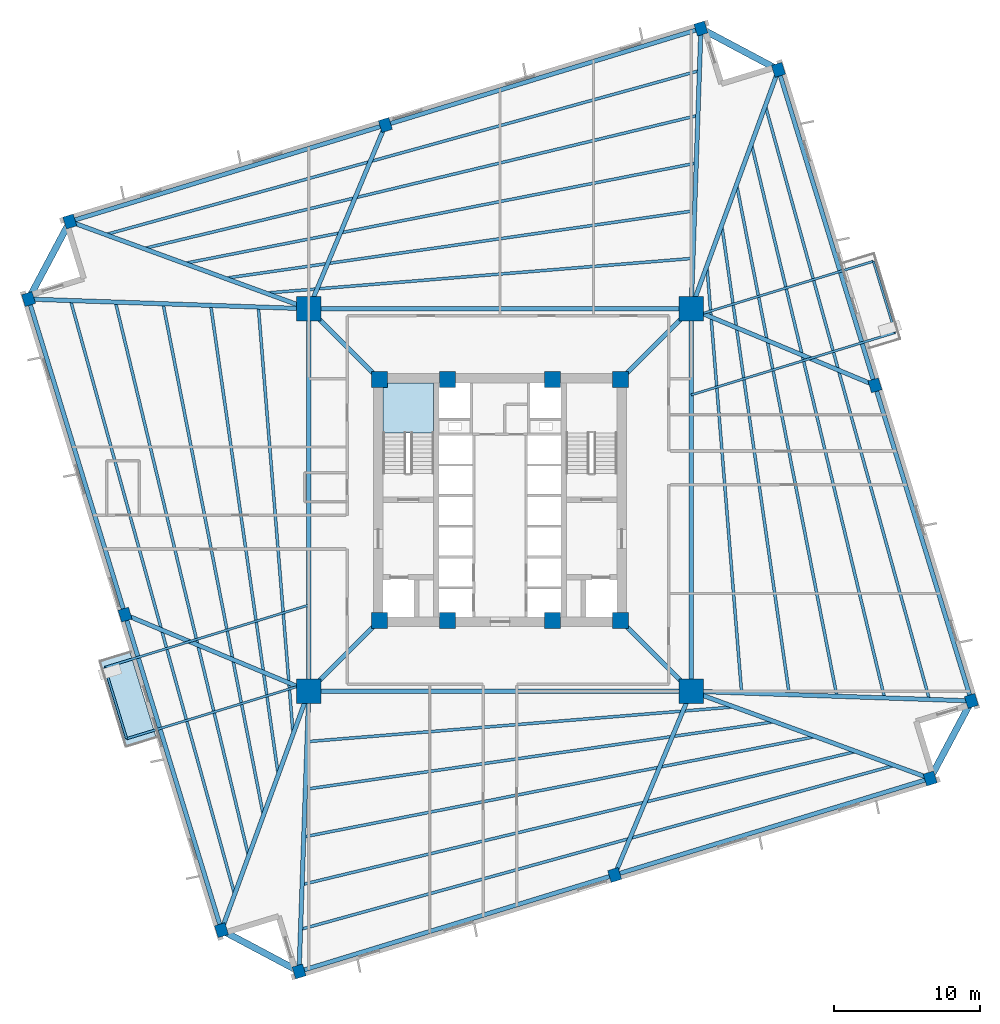
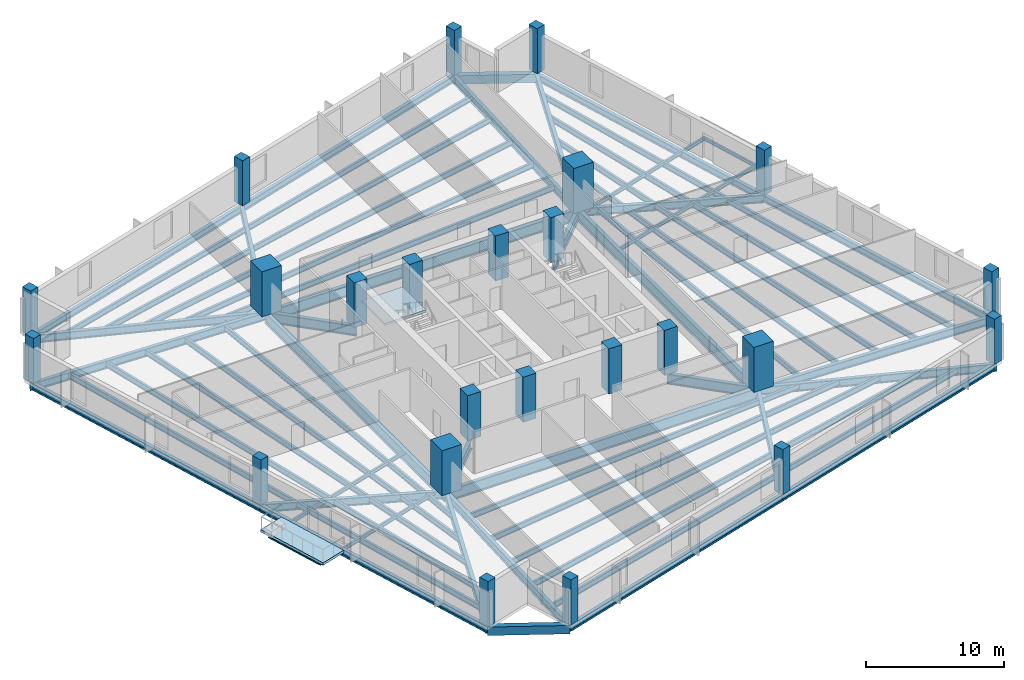
# One storey, part 1 of 9: 58 beams, 24 columns, 2 slabs, 1 element without a shape of its own.
"""IFC4 building model written with IfcOpenShell, lengths in metres."""

from ifc_helpers import new_model, si_unit, direction, frame, origin, origin_2d, place, context, subcontext, project, spatial, polyline, rectangle, i_section, outline, extrude, source, transform, mapped, material, layer, layer_set, material_profile, profile_set, type_object, element, aggregate, save


model = new_model("IFC4")

# Units and contexts
model_context = context("Model", 3, precision=1e-05, world=origin(), true_north=direction((0.0, 1.0)))
body_context = subcontext(model_context, "Body", "Model", "MODEL_VIEW")
ifc_project = project(units=[si_unit("LENGTHUNIT", "METRE"), si_unit("AREAUNIT", "SQUARE_METRE"), si_unit("VOLUMEUNIT", "CUBIC_METRE"), si_unit("PLANEANGLEUNIT", "RADIAN"), si_unit("MASSUNIT", "GRAM", prefix="KILO"), si_unit("THERMODYNAMICTEMPERATUREUNIT", "KELVIN")], contexts=[model_context])

# Site, building, storey
site_placement = place(None, origin())
site = spatial("IfcSite", under=ifc_project, at=site_placement, CompositionType="ELEMENT")
building_placement = place(site_placement, origin())
building = spatial("IfcBuilding", under=site, at=building_placement, Name="Kosmvard Interchange Tower", CompositionType="ELEMENT")
storey_placement = place(building_placement, frame((0.0, 0.0, 119.199951171875)))
storey = spatial("IfcBuildingStorey", under=building, at=storey_placement, Name="L28", CompositionType="ELEMENT", Elevation=119.199951171875)

# Columns
ifc_material_1 = material(Name="Concrete C80/95", Category="concrete")
ifc_material_profile_1 = material_profile(ifc_material_1, rectangle(XDim=1.10009765625, YDim=1.10009765625, at=origin_2d()), Name="CP 1100x1100")
ifc_profile_set_1 = profile_set([ifc_material_profile_1], Name="Concrete C80/95")
column_type_1 = type_object("IfcColumnType", Name="Core Boundary Pilaster 1100x1100 C80/95", PredefinedType="PILASTER", material=ifc_profile_set_1)
shared_shape_1 = source(origin(), body_context, "Body", "SweptSolid", [
    extrude(rectangle(XDim=1.10009765625, YDim=1.10009765625, at=origin_2d()), origin(), (0.0, 0.0, 1.0), 4.0),
])
for number, where, z_axis, x_axis, name in (
    (1, (-8.25, -8.25, 0.0), (0.0, 0.0, 1.0), (1.0, 0.0, 0.0), "L28 Core Pilaster CP1"),
    (2, (8.25, -8.25, 0.0), (0.0, 0.0, 1.0), (1.0, 0.0, 0.0), "L28 Core Pilaster CP2"),
    (3, (8.25, 8.25, 0.0), (0.0, 0.0, 1.0), (1.0, 0.0, 0.0), "L28 Core Pilaster CP3"),
    (4, (-8.25, 8.25, 0.0), (0.0, 0.0, 1.0), (1.0, 0.0, 0.0), "L28 Core Pilaster CP4"),
    (5, (-3.60009765625, -8.25, 0.0), (0.0, 0.0, 1.0), (1.0, 0.0, 0.0), "L28 Core Pilaster CP5"),
    (6, (3.60009765625, -8.25, 0.0), (0.0, 0.0, 1.0), (1.0, 0.0, 0.0), "L28 Core Pilaster CP6"),
    (7, (-3.60009765625, 8.25, 0.0), (0.0, 0.0, 1.0), (1.0, 0.0, 0.0), "L28 Core Pilaster CP7"),
    (8, (3.60009765625, 8.25, 0.0), (0.0, 0.0, 1.0), (1.0, 0.0, 0.0), "L28 Core Pilaster CP8"),
):
    element("IfcColumn", number, at=place(storey_placement, frame(where, z_axis=z_axis, x_axis=x_axis)), inside=storey, type_object=column_type_1, Name=name, PredefinedType="PILASTER", context=body_context, shape_type="MappedRepresentation", body=[
        mapped(shared_shape_1, transform((0.0, 0.0, 0.0), scale=1.0)),
    ])
ifc_material_2 = material(Name="Concrete C70/85", Category="concrete")
ifc_material_profile_2 = material_profile(ifc_material_2, rectangle(XDim=1.64990234375, YDim=1.64990234375, at=origin_2d()), Name="MC 1650x1650")
ifc_profile_set_2 = profile_set([ifc_material_profile_2], Name="Concrete C70/85")
column_type_2 = type_object("IfcColumnType", Name="Composite Mega-Column 1650x1650 C70/85", PredefinedType="COLUMN", material=ifc_profile_set_2)
shared_shape_2 = source(origin(), body_context, "Body", "SweptSolid", [
    extrude(rectangle(XDim=1.64990234375, YDim=1.64990234375, at=origin_2d()), origin(), (0.0, 0.0, 1.0), 4.0),
])
for number, where, z_axis, x_axis, name in (
    (9, (-13.0810546875, -13.0810546875, 0.0), (0.0, 0.0, 1.0), (1.0, 0.0, 0.0), "L28 Corner Mega-Column MC1"),
    (10, (13.0810546875, -13.0810546875, 0.0), (0.0, 0.0, 1.0), (1.0, 0.0, 0.0), "L28 Corner Mega-Column MC2"),
    (11, (13.0810546875, 13.0810546875, 0.0), (0.0, 0.0, 1.0), (1.0, 0.0, 0.0), "L28 Corner Mega-Column MC3"),
    (12, (-13.0810546875, 13.0810546875, 0.0), (0.0, 0.0, 1.0), (1.0, 0.0, 0.0), "L28 Corner Mega-Column MC4"),
):
    element("IfcColumn", number, at=place(storey_placement, frame(where, z_axis=z_axis, x_axis=x_axis)), inside=storey, type_object=column_type_2, Name=name, PredefinedType="COLUMN", context=body_context, shape_type="MappedRepresentation", body=[
        mapped(shared_shape_2, transform((0.0, 0.0, 0.0), scale=1.0)),
    ])
ifc_material_3 = material(Name="Concrete C60/75", Category="concrete")
ifc_material_profile_3 = material_profile(ifc_material_3, rectangle(XDim=0.75, YDim=0.85009765625, at=origin_2d()), Name="TC 850x750")
ifc_profile_set_3 = profile_set([ifc_material_profile_3], Name="Concrete C60/75")
column_type_3 = type_object("IfcColumnType", Name="Zone 2 Perimeter Pier Column 850x750 C60/75", PredefinedType="COLUMN", material=ifc_profile_set_3)
shared_shape_3 = source(origin(), body_context, "Body", "SweptSolid", [
    extrude(rectangle(XDim=0.75, YDim=0.85009765625, at=origin_2d()), origin(), (0.0, 0.0, 1.0), 4.0),
])
for number, where, z_axis, x_axis, name in (
    (13, (-13.74560546875, -32.253173828125, 0.0), (0.0, 0.0, 1.0), (0.956304755963, 0.292371704723, 0.0), "L28 Perimeter Pier Column TC-S1"),
    (14, (7.8427734375, -25.65283203125, 0.0), (0.0, 0.0, 1.0), (0.956304755963, 0.292371704723, 0.0), "L28 Perimeter Pier Column TC-S2"),
    (15, (29.431396484375, -19.052490234375, 0.0), (0.0, 0.0, 1.0), (0.956304755963, 0.292371704723, 0.0), "L28 Perimeter Pier Column TC-S3"),
    (16, (32.253173828125, -13.74560546875, 0.0), (0.0, 0.0, 1.0), (0.956304755963, 0.292371704723, 0.0), "L28 Perimeter Pier Column TC-E1"),
    (17, (25.65283203125, 7.8427734375, 0.0), (0.0, 0.0, 1.0), (0.956304755963, 0.292371704723, 0.0), "L28 Perimeter Pier Column TC-E2"),
    (18, (19.052490234375, 29.431396484375, 0.0), (0.0, 0.0, 1.0), (0.956304755963, 0.292371704723, 0.0), "L28 Perimeter Pier Column TC-E3"),
    (19, (13.74560546875, 32.253173828125, 0.0), (0.0, 0.0, 1.0), (0.956304755963, 0.292371704723, 0.0), "L28 Perimeter Pier Column TC-N1"),
    (20, (-7.8427734375, 25.65283203125, 0.0), (0.0, 0.0, 1.0), (0.956304755963, 0.292371704723, 0.0), "L28 Perimeter Pier Column TC-N2"),
    (21, (-29.431396484375, 19.052490234375, 0.0), (0.0, 0.0, 1.0), (0.956304755963, 0.292371704723, 0.0), "L28 Perimeter Pier Column TC-N3"),
    (22, (-32.253173828125, 13.74560546875, 0.0), (0.0, 0.0, 1.0), (0.956304755963, 0.292371704723, 0.0), "L28 Perimeter Pier Column TC-W1"),
    (23, (-25.65283203125, -7.8427734375, 0.0), (0.0, 0.0, 1.0), (0.956304755963, 0.292371704723, 0.0), "L28 Perimeter Pier Column TC-W2"),
    (24, (-19.052490234375, -29.431396484375, 0.0), (0.0, 0.0, 1.0), (0.956304755963, 0.292371704723, 0.0), "L28 Perimeter Pier Column TC-W3"),
):
    element("IfcColumn", number, at=place(storey_placement, frame(where, z_axis=z_axis, x_axis=x_axis)), inside=storey, type_object=column_type_3, Name=name, PredefinedType="COLUMN", context=body_context, shape_type="MappedRepresentation", body=[
        mapped(shared_shape_3, transform((0.0, 0.0, 0.0), scale=1.0)),
    ])

# Beams
ifc_material_4 = material(Name="Steel S460", Category="steel")
ifc_material_profile_4 = material_profile(ifc_material_4, i_section(OverallWidth=0.30810546875, OverallDepth=0.909912109375, WebThickness=0.02099609375, FlangeThickness=0.0400390625, FilletRadius=0.027099609375, at=origin_2d()), Name="HEM 900")
ifc_profile_set_4 = profile_set([ifc_material_profile_4], Name="Steel S460")
beam_type_1 = type_object("IfcBeamType", Name="Primary Mega-Frame Girder HEM 900 S460", PredefinedType="BEAM", material=ifc_profile_set_4)
shared_shape_4 = source(origin(), body_context, "Body", "SweptSolid", [
    extrude(i_section(OverallWidth=0.30810546875, OverallDepth=0.909912109375, WebThickness=0.02099609375, FlangeThickness=0.0400390625, FilletRadius=0.027099609375, at=origin_2d()), origin(), (0.0, 0.0, 1.0), 6.83203125),
])
for number, where, z_axis, x_axis, name in (
    (25, (-8.25, -8.25, -0.71484375), (-0.707106781187, -0.707106781187, 0.0), (0.707106781187, -0.707106781187, 0.0), "L28 Radial Mega-Frame Girder 1"),
    (26, (8.25, -8.25, -0.71484375), (0.707106781187, -0.707106781187, 0.0), (0.707106781187, 0.707106781187, 0.0), "L28 Radial Mega-Frame Girder 2"),
    (27, (8.25, 8.25, -0.71484375), (0.707106781187, 0.707106781187, 0.0), (-0.707106781187, 0.707106781187, 0.0), "L28 Radial Mega-Frame Girder 3"),
    (28, (-8.25, 8.25, -0.71484375), (-0.707106781187, 0.707106781187, 0.0), (-0.707106781187, -0.707106781187, 0.0), "L28 Radial Mega-Frame Girder 4"),
):
    element("IfcBeam", number, at=place(storey_placement, frame(where, z_axis=z_axis, x_axis=x_axis)), inside=storey, type_object=beam_type_1, Name=name, PredefinedType="BEAM", context=body_context, shape_type="MappedRepresentation", body=[
        mapped(shared_shape_4, transform((0.0, 0.0, 0.0), scale=1.0)),
    ])
ifc_material_profile_5 = material_profile(ifc_material_4, i_section(OverallWidth=0.30908203125, OverallDepth=1.008056640625, WebThickness=0.02099609375, FlangeThickness=0.0400390625, FilletRadius=0.030029296875, at=origin_2d()), Name="HEM 1000")
ifc_profile_set_5 = profile_set([ifc_material_profile_5], Name="Steel S460")
beam_type_2 = type_object("IfcBeamType", Name="Mega-Column Ring Girder HEM 1000 S460", PredefinedType="BEAM", material=ifc_profile_set_5)
shared_shape_5 = source(origin(), body_context, "Body", "SweptSolid", [
    extrude(i_section(OverallWidth=0.30908203125, OverallDepth=1.008056640625, WebThickness=0.02099609375, FlangeThickness=0.0400390625, FilletRadius=0.030029296875, at=origin_2d()), origin(), (0.0, 0.0, 1.0), 26.162109375),
])
for number, where, z_axis, x_axis, name in (
    (29, (-13.0810546875, -13.0810546875, -0.763916015625), (1.0, 0.0, 0.0), (0.0, 1.0, 0.0), "L28 Mega-Column Ring Girder 1"),
    (30, (13.0810546875, -13.0810546875, -0.763916015625), (0.0, 1.0, 0.0), (-1.0, 0.0, 0.0), "L28 Mega-Column Ring Girder 2"),
    (31, (13.0810546875, 13.0810546875, -0.763916015625), (-1.0, 0.0, 0.0), (0.0, -1.0, 0.0), "L28 Mega-Column Ring Girder 3"),
    (32, (-13.0810546875, 13.0810546875, -0.763916015625), (0.0, -1.0, 0.0), (1.0, 0.0, 0.0), "L28 Mega-Column Ring Girder 4"),
):
    element("IfcBeam", number, at=place(storey_placement, frame(where, z_axis=z_axis, x_axis=x_axis)), inside=storey, type_object=beam_type_2, Name=name, PredefinedType="BEAM", context=body_context, shape_type="MappedRepresentation", body=[
        mapped(shared_shape_5, transform((0.0, 0.0, 0.0), scale=1.0)),
    ])
ifc_material_5 = material(Name="Steel S355", Category="steel")
ifc_material_profile_6 = material_profile(ifc_material_5, i_section(OverallWidth=0.14990234375, OverallDepth=0.300048828125, WebThickness=0.007080078125, FlangeThickness=0.0107421875, FilletRadius=0.014892578125, at=origin_2d()), Name="IPE 300")
ifc_profile_set_6 = profile_set([ifc_material_profile_6], Name="Steel S355")
beam_type_3 = type_object("IfcBeamType", Name="Balcony Edge Header Joist IPE 300 S355", PredefinedType="JOIST", material=ifc_profile_set_6)
shared_shape_6 = source(origin(), body_context, "Body", "SweptSolid", [
    extrude(i_section(OverallWidth=0.14990234375, OverallDepth=0.300048828125, WebThickness=0.007080078125, FlangeThickness=0.0107421875, FilletRadius=0.014892578125, at=origin_2d()), origin(), (0.0, 0.0, 1.0), 5.099853515625),
])
for number, where, z_axis, x_axis, name in (
    (33, (27.032470703125, 11.4541015625, -0.409912109375), (-0.292403397238, 0.956295066015, 0.0), (-0.956295066015, -0.292403397238, 0.0), "BM-L28-BJH1"),
    (34, (-27.032470703125, -11.4541015625, -0.409912109375), (0.292403397238, -0.956295066015, 0.0), (0.956295066015, 0.292403397238, 0.0), "BM-L28-BJH2"),
):
    element("IfcBeam", number, at=place(storey_placement, frame(where, z_axis=z_axis, x_axis=x_axis)), inside=storey, type_object=beam_type_3, Name=name, PredefinedType="JOIST", context=body_context, shape_type="MappedRepresentation", body=[
        mapped(shared_shape_6, transform((0.0, 0.0, 0.0), scale=1.0)),
    ])
ifc_material_profile_7 = material_profile(ifc_material_5, i_section(OverallWidth=0.300048828125, OverallDepth=0.60009765625, WebThickness=0.015380859375, FlangeThickness=0.030029296875, FilletRadius=0.027099609375, at=origin_2d()), Name="HEB 600")
ifc_profile_set_7 = profile_set([ifc_material_profile_7], Name="Steel S355")
beam_type_4 = type_object("IfcBeamType", Name="Perimeter Tie Girder HEB 600 S355", PredefinedType="BEAM", material=ifc_profile_set_7)
shared_shape_7 = source(origin(), body_context, "Body", "SweptSolid", [
    extrude(i_section(OverallWidth=0.300048828125, OverallDepth=0.60009765625, WebThickness=0.015380859375, FlangeThickness=0.030029296875, FilletRadius=0.027099609375, at=origin_2d()), origin(), (0.0, 0.0, 1.0), 22.57470703125),
])
for number, where, z_axis, x_axis, name in (
    (35, (-13.74560546875, -32.253173828125, -0.56005859375), (0.956303368768, 0.292376241995, 0.0), (-0.292376241995, 0.956303368768, 0.0), "BM-L28-PR01"),
    (36, (32.253173828125, -13.74560546875, -0.56005859375), (-0.292376241995, 0.956303368768, 0.0), (-0.956303368768, -0.292376241995, 0.0), "BM-L28-PR04"),
    (37, (13.74560546875, 32.253173828125, -0.56005859375), (-0.956303368768, -0.292376241995, 0.0), (0.292376241995, -0.956303368768, 0.0), "BM-L28-PR07"),
    (38, (-32.253173828125, 13.74560546875, -0.56005859375), (0.292376241995, -0.956303368768, 0.0), (0.956303368768, 0.292376241995, 0.0), "BM-L28-PR10"),
):
    element("IfcBeam", number, at=place(storey_placement, frame(where, z_axis=z_axis, x_axis=x_axis)), inside=storey, type_object=beam_type_4, Name=name, PredefinedType="BEAM", context=body_context, shape_type="MappedRepresentation", body=[
        mapped(shared_shape_7, transform((0.0, 0.0, 0.0), scale=1.0)),
    ])
ifc_material_profile_8 = material_profile(ifc_material_5, i_section(OverallWidth=0.300048828125, OverallDepth=0.699951171875, WebThickness=0.01708984375, FlangeThickness=0.031982421875, FilletRadius=0.027099609375, at=origin_2d()), Name="HEB 700")
ifc_profile_set_8 = profile_set([ifc_material_profile_8], Name="Steel S355")
beam_type_5 = type_object("IfcBeamType", Name="Primary Floor Girder HEB 700 S355", PredefinedType="BEAM", material=ifc_profile_set_8)
shared_shape_8 = source(origin(), body_context, "Body", "SweptSolid", [
    extrude(i_section(OverallWidth=0.300048828125, OverallDepth=0.699951171875, WebThickness=0.01708984375, FlangeThickness=0.031982421875, FilletRadius=0.027099609375, at=origin_2d()), origin(), (0.0, 0.0, 1.0), 19.18359375),
])
for number, where, z_axis, x_axis, name in (
    (39, (-13.0810546875, -13.0810546875, -0.60986328125), (-0.034641549738, -0.999399801397, 0.0), (0.999399801397, -0.034641549738, 0.0), "BM-L28-RD01"),
    (40, (13.0810546875, -13.0810546875, -0.60986328125), (0.999399801397, -0.034641549738, 0.0), (0.034641549738, 0.999399801397, 0.0), "BM-L28-RD04"),
    (41, (13.0810546875, 13.0810546875, -0.60986328125), (0.034641549738, 0.999399801397, 0.0), (-0.999399801397, 0.034641549738, 0.0), "BM-L28-RD07"),
    (42, (-13.0810546875, 13.0810546875, -0.60986328125), (-0.999399801397, 0.034641549738, 0.0), (-0.034641549738, -0.999399801397, 0.0), "BM-L28-RD10"),
):
    element("IfcBeam", number, at=place(storey_placement, frame(where, z_axis=z_axis, x_axis=x_axis)), inside=storey, type_object=beam_type_5, Name=name, PredefinedType="BEAM", context=body_context, shape_type="MappedRepresentation", body=[
        mapped(shared_shape_8, transform((0.0, 0.0, 0.0), scale=1.0)),
    ])
shared_shape_9 = source(origin(), body_context, "Body", "SweptSolid", [
    extrude(i_section(OverallWidth=0.300048828125, OverallDepth=0.60009765625, WebThickness=0.015380859375, FlangeThickness=0.030029296875, FilletRadius=0.027099609375, at=origin_2d()), origin(), (0.0, 0.0, 1.0), 22.574951171875),
])
for number, where, z_axis, x_axis, name in (
    (43, (7.8427734375, -25.65283203125, -0.56005859375), (0.956304293239, 0.292373218222, 0.0), (-0.292373218222, 0.956304293239, 0.0), "BM-L28-PR02"),
    (44, (25.65283203125, 7.8427734375, -0.56005859375), (-0.292373218222, 0.956304293239, 0.0), (-0.956304293239, -0.292373218222, 0.0), "BM-L28-PR05"),
    (45, (-7.8427734375, 25.65283203125, -0.56005859375), (-0.956304293239, -0.292373218222, 0.0), (0.292373218222, -0.956304293239, 0.0), "BM-L28-PR08"),
    (46, (-25.65283203125, -7.8427734375, -0.56005859375), (0.292373218222, -0.956304293239, 0.0), (0.956304293239, 0.292373218222, 0.0), "BM-L28-PR11"),
):
    element("IfcBeam", number, at=place(storey_placement, frame(where, z_axis=z_axis, x_axis=x_axis)), inside=storey, type_object=beam_type_4, Name=name, PredefinedType="BEAM", context=body_context, shape_type="MappedRepresentation", body=[
        mapped(shared_shape_9, transform((0.0, 0.0, 0.0), scale=1.0)),
    ])
shared_shape_10 = source(origin(), body_context, "Body", "SweptSolid", [
    extrude(i_section(OverallWidth=0.300048828125, OverallDepth=0.699951171875, WebThickness=0.01708984375, FlangeThickness=0.031982421875, FilletRadius=0.027099609375, at=origin_2d()), origin(), (0.0, 0.0, 1.0), 13.619384765625),
])
for number, where, z_axis, x_axis, name in (
    (47, (13.0810546875, -13.0810546875, -0.60986328125), (-0.384617930303, -0.92307586237, 0.0), (0.92307586237, -0.384617930303, 0.0), "BM-L28-RD02"),
    (48, (13.0810546875, 13.0810546875, -0.60986328125), (0.92307586237, -0.384617930303, 0.0), (0.384617930303, 0.92307586237, 0.0), "BM-L28-RD05"),
    (49, (-13.0810546875, 13.0810546875, -0.60986328125), (0.384617930303, 0.92307586237, 0.0), (-0.92307586237, 0.384617930303, 0.0), "BM-L28-RD08"),
    (50, (-13.0810546875, -13.0810546875, -0.60986328125), (-0.92307586237, 0.384617930303, 0.0), (-0.384617930303, -0.92307586237, 0.0), "BM-L28-RD11"),
):
    element("IfcBeam", number, at=place(storey_placement, frame(where, z_axis=z_axis, x_axis=x_axis)), inside=storey, type_object=beam_type_5, Name=name, PredefinedType="BEAM", context=body_context, shape_type="MappedRepresentation", body=[
        mapped(shared_shape_10, transform((0.0, 0.0, 0.0), scale=1.0)),
    ])
ifc_material_6 = material(Name="Precast concrete C45/55", Category="concrete")
ifc_material_profile_9 = material_profile(ifc_material_6, rectangle(XDim=0.449951171875, YDim=0.75, at=origin_2d()), Name="SL 450x750")
ifc_profile_set_9 = profile_set([ifc_material_profile_9], Name="Precast concrete C45/55")
beam_type_6 = type_object("IfcBeamType", Name="Precast Spandrel Lintel 450x750 C45/55", PredefinedType="LINTEL", material=ifc_profile_set_9)
shared_shape_11 = source(origin(), body_context, "Body", "SweptSolid", [
    extrude(rectangle(XDim=0.449951171875, YDim=0.75, at=origin_2d()), origin(), (0.0, 0.0, 1.0), 6.010498046875),
])
for number, where, z_axis, x_axis, name in (
    (51, (29.431396484375, -19.052490234375, -0.635009765625), (0.469478912111, 0.882943685114, 0.0), (-0.882943685114, 0.469478912111, 0.0), "BM-L28-SL1"),
    (52, (19.052490234375, 29.431396484375, -0.635009765625), (-0.882943685114, 0.469478912111, 0.0), (-0.469478912111, -0.882943685114, 0.0), "BM-L28-SL2"),
    (53, (-29.431396484375, 19.052490234375, -0.635009765625), (-0.469478912111, -0.882943685114, 0.0), (0.882943685114, -0.469478912111, 0.0), "BM-L28-SL3"),
    (54, (-19.052490234375, -29.431396484375, -0.635009765625), (0.882943685114, -0.469478912111, 0.0), (0.469478912111, 0.882943685114, 0.0), "BM-L28-SL4"),
):
    element("IfcBeam", number, at=place(storey_placement, frame(where, z_axis=z_axis, x_axis=x_axis)), inside=storey, type_object=beam_type_6, Name=name, PredefinedType="LINTEL", context=body_context, shape_type="MappedRepresentation", body=[
        mapped(shared_shape_11, transform((0.0, 0.0, 0.0), scale=1.0)),
    ])
shared_shape_12 = source(origin(), body_context, "Body", "SweptSolid", [
    extrude(i_section(OverallWidth=0.300048828125, OverallDepth=0.699951171875, WebThickness=0.01708984375, FlangeThickness=0.031982421875, FilletRadius=0.027099609375, at=origin_2d()), origin(), (0.0, 0.0, 1.0), 17.40673828125),
])
for number, where, z_axis, x_axis, name in (
    (55, (13.0810546875, -13.0810546875, -0.60986328125), (0.939315429031, -0.343054696491, 0.0), (0.343054696491, 0.939315429031, 0.0), "BM-L28-RD03"),
    (56, (13.0810546875, 13.0810546875, -0.60986328125), (0.343054696491, 0.939315429031, 0.0), (-0.939315429031, 0.343054696491, 0.0), "BM-L28-RD06"),
    (57, (-13.0810546875, 13.0810546875, -0.60986328125), (-0.939315429031, 0.343054696491, 0.0), (-0.343054696491, -0.939315429031, 0.0), "BM-L28-RD09"),
    (58, (-13.0810546875, -13.0810546875, -0.60986328125), (-0.343054696491, -0.939315429031, 0.0), (0.939315429031, -0.343054696491, 0.0), "BM-L28-RD12"),
):
    element("IfcBeam", number, at=place(storey_placement, frame(where, z_axis=z_axis, x_axis=x_axis)), inside=storey, type_object=beam_type_5, Name=name, PredefinedType="BEAM", context=body_context, shape_type="MappedRepresentation", body=[
        mapped(shared_shape_12, transform((0.0, 0.0, 0.0), scale=1.0)),
    ])
ifc_material_profile_10 = material_profile(ifc_material_5, i_section(OverallWidth=0.199951171875, OverallDepth=0.5, WebThickness=0.01025390625, FlangeThickness=0.01611328125, FilletRadius=0.02099609375, at=origin_2d()), Name="IPE 500")
ifc_profile_set_10 = profile_set([ifc_material_profile_10], Name="Steel S355")
beam_type_7 = type_object("IfcBeamType", Name="Standard Floor Joist IPE 500 S355", PredefinedType="JOIST", material=ifc_profile_set_10)
shared_shape_13 = source(origin(), body_context, "Body", "SweptSolid", [
    extrude(i_section(OverallWidth=0.199951171875, OverallDepth=0.5, WebThickness=0.01025390625, FlangeThickness=0.01611328125, FilletRadius=0.02099609375, at=origin_2d()), origin(), (0.0, 0.0, 1.0), 29.1611328125),
])
for number, where, z_axis, x_axis, name in (
    (59, (-13.120849609375, -16.525390625, -0.510009765625), (0.99671134435, 0.081033919093, 0.0), (-0.081033919093, 0.99671134435, 0.0), "BM-L28-FJ01"),
    (60, (16.525390625, -13.120849609375, -0.510009765625), (-0.081033919093, 0.99671134435, 0.0), (-0.99671134435, -0.081033919093, 0.0), "BM-L28-FJ06"),
    (61, (13.120849609375, 16.525390625, -0.510009765625), (-0.99671134435, -0.081033919093, 0.0), (0.081033919093, -0.99671134435, 0.0), "BM-L28-FJ11"),
    (62, (-16.525390625, 13.120849609375, -0.510009765625), (0.081033919093, -0.99671134435, 0.0), (0.99671134435, 0.081033919093, 0.0), "BM-L28-FJ16"),
):
    element("IfcBeam", number, at=place(storey_placement, frame(where, z_axis=z_axis, x_axis=x_axis)), inside=storey, type_object=beam_type_7, Name=name, PredefinedType="JOIST", context=body_context, shape_type="MappedRepresentation", body=[
        mapped(shared_shape_13, transform((0.0, 0.0, 0.0), scale=1.0)),
    ])
shared_shape_14 = source(origin(), body_context, "Body", "SweptSolid", [
    extrude(i_section(OverallWidth=0.199951171875, OverallDepth=0.5, WebThickness=0.01025390625, FlangeThickness=0.01611328125, FilletRadius=0.02099609375, at=origin_2d()), origin(), (0.0, 0.0, 1.0), 32.287841796875),
])
for number, where, z_axis, x_axis, name in (
    (63, (-13.234375, -19.77978515625, -0.510009765625), (0.989810798314, 0.142388846268, 0.0), (-0.142388846268, 0.989810798314, 0.0), "BM-L28-FJ02"),
    (64, (19.77978515625, -13.234375, -0.510009765625), (-0.142388846268, 0.989810798314, 0.0), (-0.989810798314, -0.142388846268, 0.0), "BM-L28-FJ07"),
    (65, (13.234375, 19.77978515625, -0.510009765625), (-0.989810798314, -0.142388846268, 0.0), (0.142388846268, -0.989810798314, 0.0), "BM-L28-FJ12"),
    (66, (-19.77978515625, 13.234375, -0.510009765625), (0.142388846268, -0.989810798314, 0.0), (0.989810798314, 0.142388846268, 0.0), "BM-L28-FJ17"),
):
    element("IfcBeam", number, at=place(storey_placement, frame(where, z_axis=z_axis, x_axis=x_axis)), inside=storey, type_object=beam_type_7, Name=name, PredefinedType="JOIST", context=body_context, shape_type="MappedRepresentation", body=[
        mapped(shared_shape_14, transform((0.0, 0.0, 0.0), scale=1.0)),
    ])
shared_shape_15 = source(origin(), body_context, "Body", "SweptSolid", [
    extrude(i_section(OverallWidth=0.199951171875, OverallDepth=0.5, WebThickness=0.01025390625, FlangeThickness=0.01611328125, FilletRadius=0.02099609375, at=origin_2d()), origin(), (0.0, 0.0, 1.0), 35.516357421875),
])
for number, where, z_axis, x_axis, name in (
    (67, (-13.34814453125, -23.03515625, -0.510009765625), (0.981315785618, 0.192404077134, 0.0), (-0.192404077134, 0.981315785618, 0.0), "BM-L28-FJ03"),
    (68, (23.03515625, -13.34814453125, -0.510009765625), (-0.192404077134, 0.981315785618, 0.0), (-0.981315785618, -0.192404077134, 0.0), "BM-L28-FJ08"),
    (69, (13.34814453125, 23.03515625, -0.510009765625), (-0.981315785618, -0.192404077134, 0.0), (0.192404077134, -0.981315785618, 0.0), "BM-L28-FJ13"),
    (70, (-23.03515625, 13.34814453125, -0.510009765625), (0.192404077134, -0.981315785618, 0.0), (0.981315785618, 0.192404077134, 0.0), "BM-L28-FJ18"),
):
    element("IfcBeam", number, at=place(storey_placement, frame(where, z_axis=z_axis, x_axis=x_axis)), inside=storey, type_object=beam_type_7, Name=name, PredefinedType="JOIST", context=body_context, shape_type="MappedRepresentation", body=[
        mapped(shared_shape_15, transform((0.0, 0.0, 0.0), scale=1.0)),
    ])
shared_shape_16 = source(origin(), body_context, "Body", "SweptSolid", [
    extrude(i_section(OverallWidth=0.199951171875, OverallDepth=0.5, WebThickness=0.01025390625, FlangeThickness=0.01611328125, FilletRadius=0.02099609375, at=origin_2d()), origin(), (0.0, 0.0, 1.0), 38.821533203125),
])
for number, where, z_axis, x_axis, name in (
    (71, (-13.4619140625, -26.291015625, -0.510009765625), (0.972318244358, 0.233660505198, 0.0), (-0.233660505198, 0.972318244358, 0.0), "BM-L28-FJ04"),
    (72, (26.291015625, -13.4619140625, -0.510009765625), (-0.233660505198, 0.972318244358, 0.0), (-0.972318244358, -0.233660505198, 0.0), "BM-L28-FJ09"),
    (73, (13.4619140625, 26.291015625, -0.510009765625), (-0.972318244358, -0.233660505198, 0.0), (0.233660505198, -0.972318244358, 0.0), "BM-L28-FJ14"),
    (74, (-26.291015625, 13.4619140625, -0.510009765625), (0.233660505198, -0.972318244358, 0.0), (0.972318244358, 0.233660505198, 0.0), "BM-L28-FJ19"),
):
    element("IfcBeam", number, at=place(storey_placement, frame(where, z_axis=z_axis, x_axis=x_axis)), inside=storey, type_object=beam_type_7, Name=name, PredefinedType="JOIST", context=body_context, shape_type="MappedRepresentation", body=[
        mapped(shared_shape_16, transform((0.0, 0.0, 0.0), scale=1.0)),
    ])
shared_shape_17 = source(origin(), body_context, "Body", "SweptSolid", [
    extrude(i_section(OverallWidth=0.199951171875, OverallDepth=0.5, WebThickness=0.01025390625, FlangeThickness=0.01611328125, FilletRadius=0.02099609375, at=origin_2d()), origin(), (0.0, 0.0, 1.0), 41.98583984375),
])
for number, where, z_axis, x_axis, name in (
    (75, (-13.56884765625, -29.35595703125, -0.510009765625), (0.96391074105, 0.266225624778, 0.0), (-0.266225624778, 0.96391074105, 0.0), "BM-L28-FJ05"),
    (76, (29.35595703125, -13.56884765625, -0.510009765625), (-0.266225624778, 0.96391074105, 0.0), (-0.96391074105, -0.266225624778, 0.0), "BM-L28-FJ10"),
    (77, (13.56884765625, 29.35595703125, -0.510009765625), (-0.96391074105, -0.266225624778, 0.0), (0.266225624778, -0.96391074105, 0.0), "BM-L28-FJ15"),
    (78, (-29.35595703125, 13.56884765625, -0.510009765625), (0.266225624778, -0.96391074105, 0.0), (0.96391074105, 0.266225624778, 0.0), "BM-L28-FJ20"),
):
    element("IfcBeam", number, at=place(storey_placement, frame(where, z_axis=z_axis, x_axis=x_axis)), inside=storey, type_object=beam_type_7, Name=name, PredefinedType="JOIST", context=body_context, shape_type="MappedRepresentation", body=[
        mapped(shared_shape_17, transform((0.0, 0.0, 0.0), scale=1.0)),
    ])
ifc_material_profile_11 = material_profile(ifc_material_5, i_section(OverallWidth=0.159912109375, OverallDepth=0.330078125, WebThickness=0.007568359375, FlangeThickness=0.011474609375, FilletRadius=0.01806640625, at=origin_2d()), Name="IPE 330")
ifc_profile_set_11 = profile_set([ifc_material_profile_11], Name="Steel S355")
beam_type_8 = type_object("IfcBeamType", Name="Balcony Cantilever Joist IPE 330 S355", PredefinedType="JOIST", material=ifc_profile_set_11)
shared_shape_18 = source(origin(), body_context, "Body", "SweptSolid", [
    extrude(i_section(OverallWidth=0.159912109375, OverallDepth=0.330078125, WebThickness=0.007568359375, FlangeThickness=0.011474609375, FilletRadius=0.01806640625, at=origin_2d()), origin(), (0.0, 0.0, 1.0), 14.5888671875),
])
for number, where, z_axis, x_axis, name in (
    (79, (13.0810546875, 7.188720703125, -0.425048828125), (0.95630466141, 0.292372013991, 0.0), (-0.292372013991, 0.95630466141, 0.0), "BM-L28-BJ1"),
    (80, (-13.0810546875, -7.188720703125, -0.425048828125), (-0.95630466141, -0.292372013991, 0.0), (0.292372013991, -0.95630466141, 0.0), "BM-L28-BJ2"),
):
    element("IfcBeam", number, at=place(storey_placement, frame(where, z_axis=z_axis, x_axis=x_axis)), inside=storey, type_object=beam_type_8, Name=name, PredefinedType="JOIST", context=body_context, shape_type="MappedRepresentation", body=[
        mapped(shared_shape_18, transform((0.0, 0.0, 0.0), scale=1.0)),
    ])
shared_shape_19 = source(origin(), body_context, "Body", "SweptSolid", [
    extrude(i_section(OverallWidth=0.159912109375, OverallDepth=0.330078125, WebThickness=0.007568359375, FlangeThickness=0.011474609375, FilletRadius=0.01806640625, at=origin_2d()), origin(), (0.0, 0.0, 1.0), 13.029541015625),
])
for number, where, z_axis, x_axis, name in (
    (81, (13.0810546875, 12.521728515625, -0.425048828125), (0.956307777684, 0.292361820938, 0.0), (-0.292361820938, 0.956307777684, 0.0), "BM-L28-BJB1"),
    (82, (-13.0810546875, -12.521728515625, -0.425048828125), (-0.956307777684, -0.292361820938, 0.0), (0.292361820938, -0.956307777684, 0.0), "BM-L28-BJB2"),
):
    element("IfcBeam", number, at=place(storey_placement, frame(where, z_axis=z_axis, x_axis=x_axis)), inside=storey, type_object=beam_type_8, Name=name, PredefinedType="JOIST", context=body_context, shape_type="MappedRepresentation", body=[
        mapped(shared_shape_19, transform((0.0, 0.0, 0.0), scale=1.0)),
    ])

# Stair, slab
ifc_material_7 = material(Name="Concrete C50/60", Category="concrete")
stair_type = type_object("IfcStairType", Name="Dog-Leg Core Exit Stair H4000 C50/60", PredefinedType="HALF_TURN_STAIR", material=ifc_material_7)
stair_placement = place(storey_placement, origin())
stair = element("IfcStair", 83, at=stair_placement, inside=storey, type_object=stair_type, Name="L28 Protected Exit Stair ST-1", PredefinedType="HALF_TURN_STAIR")
ifc_layer_1 = layer(ifc_material_7, 0.199951171875, Name="Concrete C50/60")
ifc_layer_set_1 = layer_set([ifc_layer_1], Name="Concrete C50/60")
slab_type_1 = type_object("IfcSlabType", Name="Stair Half-Landing Slab 200 C50/60", PredefinedType="LANDING", material=ifc_layer_set_1)
slab_1_placement = place(storey_placement, frame((0.0, 0.0, 1.800048828125)))
slab_1 = element("IfcSlab", 84, at=slab_1_placement, type_object=slab_type_1, Name="ST-1 landing 1", PredefinedType="LANDING", context=body_context, shape_type="SweptSolid", body=[
    extrude(outline(polyline([(-4.5400390625, 4.60009765625), (-4.5400390625, 8.0), (-8.0, 8.0), (-8.0, 4.60009765625), (-4.5400390625, 4.60009765625)])), origin(), (0.0, 0.0, 1.0), 0.199951171875),
])
aggregate(stair, [slab_1])

# Slab
ifc_layer_2 = layer(ifc_material_7, 0.22998046875, Name="Concrete C50/60")
ifc_layer_set_2 = layer_set([ifc_layer_2], Name="Concrete C50/60")
slab_type_2 = type_object("IfcSlabType", Name="Tree-Planter Cantilever Balcony Slab 230 C50/60", PredefinedType="FLOOR", material=ifc_layer_set_2)
slab_2_placement = place(storey_placement, frame((0.0, 0.0, -0.22998046875)))
element("IfcSlab", 85, at=slab_2_placement, inside=storey, type_object=slab_type_2, Name="L28 Outdoor Terrace Balcony Slab BAL-L28-W", PredefinedType="FLOOR", context=body_context, shape_type="SweptSolid", body=[
    extrude(outline(polyline([(-25.61962890625, -16.93017578125), (-23.515625, -16.286865234375), (-25.328369140625, -10.35791015625), (-27.43212890625, -11.001220703125), (-25.61962890625, -16.93017578125)])), origin(), (0.0, 0.0, 1.0), 0.22998046875),
])

save(model, "model.ifc")
